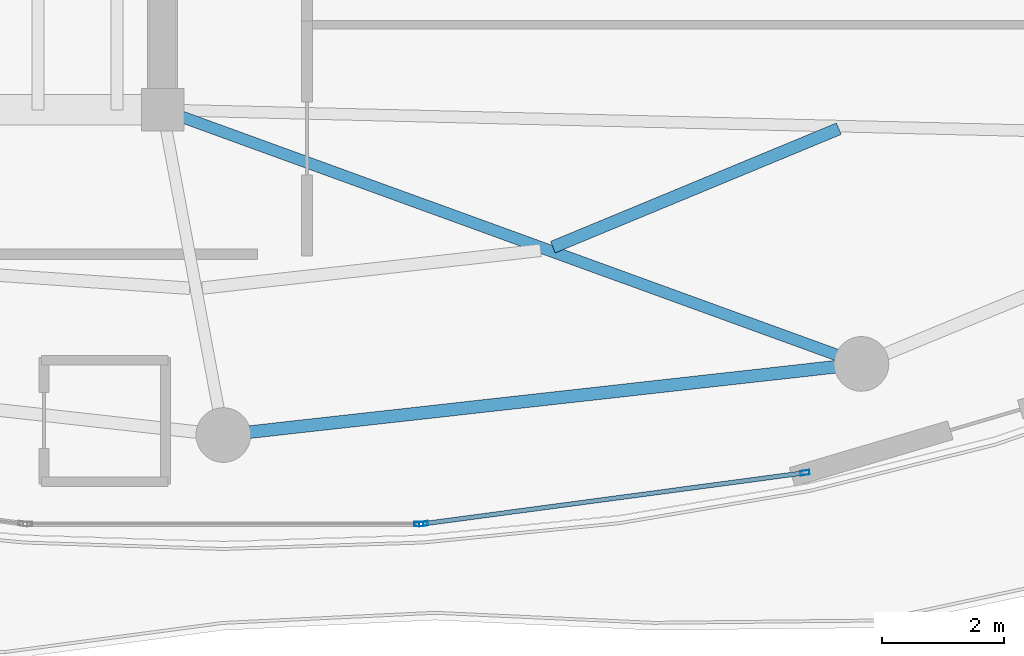
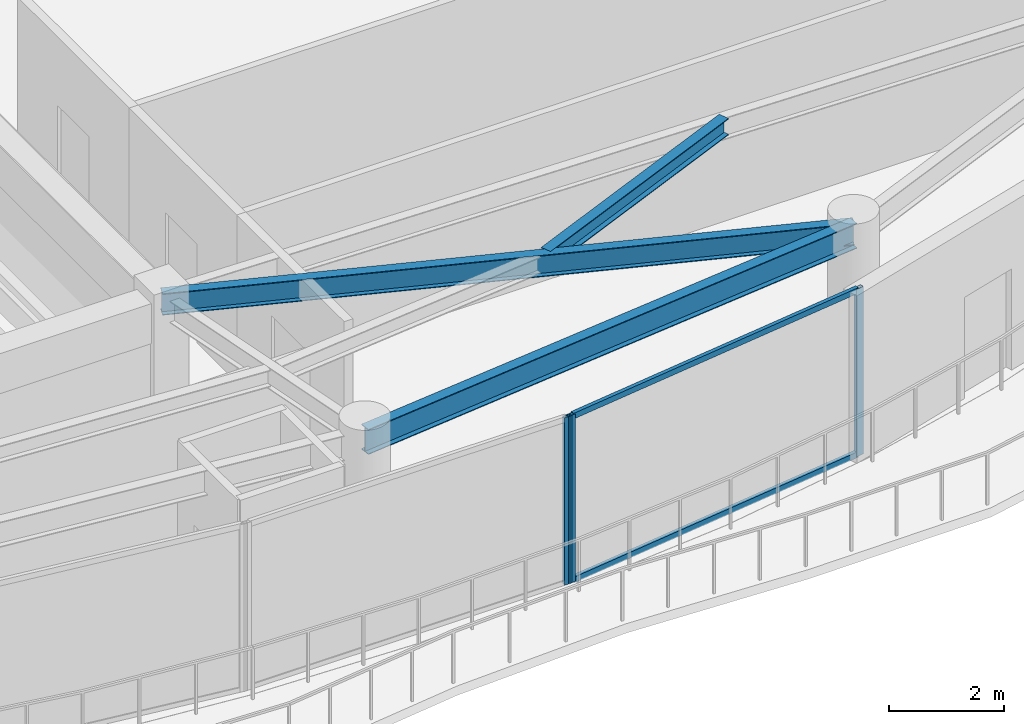
# One storey, part 11 of 29: 5 members, 3 beams, 2 elements without a shape of their own.
"""IFC4 building model written with IfcOpenShell, lengths in metres."""

from ifc_helpers import new_model, si_unit, direction, frame, origin, origin_2d, place, context, subcontext, project, spatial, hollow_rectangle, i_section, extrude, material, layer, layer_set, material_profile, profile_set, type_object, element, aggregate, save


model = new_model("IFC4")

# Units and contexts
model_context = context("Model", 3, precision=1e-05, world=origin(), true_north=direction((0.0, 1.0)))
body_context = subcontext(model_context, "Body", "Model", "MODEL_VIEW")
ifc_project = project(units=[si_unit("LENGTHUNIT", "METRE"), si_unit("AREAUNIT", "SQUARE_METRE"), si_unit("VOLUMEUNIT", "CUBIC_METRE"), si_unit("PLANEANGLEUNIT", "RADIAN"), si_unit("MASSUNIT", "GRAM", prefix="KILO")], contexts=[model_context])

# Site, building, storey
site_placement = place(None, origin())
site = spatial("IfcSite", under=ifc_project, at=site_placement, CompositionType="ELEMENT")
building_placement = place(site_placement, origin())
building = spatial("IfcBuilding", under=site, at=building_placement, Name="Kazevale Care Tower and Concert Hall", CompositionType="ELEMENT")
storey_placement = place(building_placement, frame((0.0, 0.0, 262.39990234375)))
storey = spatial("IfcBuildingStorey", under=building, at=storey_placement, Name="L69", CompositionType="ELEMENT", Elevation=262.39990234375)

# Curtain wall, members
ifc_material_1 = material(Name="Aluminium 6063-T6 and Low-E Glass", Category="aluminium")
ifc_layer = layer(ifc_material_1, 0.179931640625)
ifc_layer_set = layer_set([ifc_layer], Name="Aluminium 6063-T6 and Low-E Glass")
curtain_wall_type = type_object("IfcCurtainWallType", Name="Sheltered Concave Balcony Curtain Wall CW-5", PredefinedType="NOTDEFINED", material=ifc_layer_set)
curtain_wall_1_placement = place(storey_placement, origin())
curtain_wall_1 = element("IfcCurtainWall", 1, at=curtain_wall_1_placement, inside=storey, type_object=curtain_wall_type, Name="cw:L69:f05", PredefinedType="NOTDEFINED")
ifc_material_2 = material(Name="Aluminium 6063-T6", Category="aluminium")
ifc_material_profile_1 = material_profile(ifc_material_2, hollow_rectangle(XDim=0.074951171875, YDim=0.14990234375, WallThickness=0.00390625, at=origin_2d()), Name="ALU75x150x4")
ifc_profile_set_1 = profile_set([ifc_material_profile_1], Name="Aluminium 6063-T6")
member_type_1 = type_object("IfcMemberType", Name="CW-5 Mullion ALU75x150x4", PredefinedType="MULLION", material=ifc_profile_set_1)
member_1_placement = place(storey_placement, frame((54.56982421875, 17.629150390625, 0.0), z_axis=(0.0, 0.0, 1.0), x_axis=(0.132542069018, -0.991177380664, 0.0)))
member_1 = element("IfcMember", 2, at=member_1_placement, type_object=member_type_1, Name="CW-5 mullion 1", PredefinedType="MULLION", context=body_context, shape_type="SweptSolid", body=[
    extrude(hollow_rectangle(XDim=0.074951171875, YDim=0.14990234375, WallThickness=0.00390625, at=origin_2d()), origin(), (0.0, 0.0, 1.0), 3.56005859375),
])
member_2_placement = place(storey_placement, frame((48.295166015625, 16.7900390625, 0.0), z_axis=(0.0, 0.0, 1.0), x_axis=(0.132542069018, -0.991177380664, 0.0)))
member_2 = element("IfcMember", 3, at=member_2_placement, type_object=member_type_1, Name="CW-5 mullion 2", PredefinedType="MULLION", context=body_context, shape_type="SweptSolid", body=[
    extrude(hollow_rectangle(XDim=0.074951171875, YDim=0.14990234375, WallThickness=0.00390625, at=origin_2d()), origin(), (0.0, 0.0, 1.0), 3.56005859375),
])

# Curtain wall, member
curtain_wall_2_placement = place(storey_placement, origin())
curtain_wall_2 = element("IfcCurtainWall", 4, at=curtain_wall_2_placement, inside=storey, type_object=curtain_wall_type, Name="cw:L69:f06", PredefinedType="NOTDEFINED")
member_3_placement = place(storey_placement, frame((48.220458984375, 16.784912109375, 0.0), z_axis=(0.0, 0.0, 1.0), x_axis=(0.0, -1.0, 0.0)))
member_3 = element("IfcMember", 5, at=member_3_placement, type_object=member_type_1, Name="CW-5 mullion 1", PredefinedType="MULLION", context=body_context, shape_type="SweptSolid", body=[
    extrude(hollow_rectangle(XDim=0.074951171875, YDim=0.14990234375, WallThickness=0.00390625, at=origin_2d()), origin(), (0.0, 0.0, 1.0), 3.56005859375),
])
aggregate(curtain_wall_2, [member_3])

# Member
ifc_material_profile_2 = material_profile(ifc_material_2, hollow_rectangle(XDim=0.074951171875, YDim=0.1201171875, WallThickness=0.00390625, at=origin_2d()), Name="ALU75x120x4")
ifc_profile_set_2 = profile_set([ifc_material_profile_2], Name="Aluminium 6063-T6")
member_type_2 = type_object("IfcMemberType", Name="CW-5 Transom ALU75x120x4", PredefinedType="USERDEFINED", material=ifc_profile_set_2)
member_4_placement = place(storey_placement, frame((54.53271484375, 17.6240234375, 0.03759765625), z_axis=(-0.991178066261, -0.132536941884, 0.0), x_axis=(0.132536941884, -0.991178066261, 0.0)))
member_4 = element("IfcMember", 6, at=member_4_placement, type_object=member_type_2, Name="CW-5 transom 1.1", ObjectType="TRANSOM", PredefinedType="USERDEFINED", context=body_context, shape_type="SweptSolid", body=[
    extrude(hollow_rectangle(XDim=0.074951171875, YDim=0.1201171875, WallThickness=0.00390625, at=origin_2d()), origin(), (0.0, 0.0, 1.0), 6.255615234375),
])

member_5_placement = place(storey_placement, frame((54.53271484375, 17.6240234375, 3.522705078125), z_axis=(-0.991178066261, -0.132536941884, 0.0), x_axis=(0.132536941884, -0.991178066261, 0.0)))
member_5 = element("IfcMember", 7, at=member_5_placement, type_object=member_type_2, Name="CW-5 transom 1.2", ObjectType="TRANSOM", PredefinedType="USERDEFINED", context=body_context, shape_type="SweptSolid", body=[
    extrude(hollow_rectangle(XDim=0.074951171875, YDim=0.1201171875, WallThickness=0.00390625, at=origin_2d()), origin(), (0.0, 0.0, 1.0), 6.255615234375),
])

aggregate(curtain_wall_1, [member_1, member_2, member_4, member_5])

# Beams
ifc_material_3 = material(Name="Steel ASTM A572 Gr 50", Category="steel")
ifc_material_profile_3 = material_profile(ifc_material_3, i_section(OverallWidth=0.19091796875, OverallDepth=0.4599609375, WebThickness=0.010009765625, FlangeThickness=0.01611328125, at=origin_2d()), Name="W460x82")
ifc_profile_set_3 = profile_set([ifc_material_profile_3], Name="Steel ASTM A572 Gr 50")
beam_type_1 = type_object("IfcBeamType", Name="Radial Floor Beam W460x82", PredefinedType="BEAM", material=ifc_profile_set_3)
beam_1_placement = place(storey_placement, frame((44.0, 23.60009765625, 3.330078125), z_axis=(0.939836524786, -0.341624511239, 0.0), x_axis=(0.341624511239, 0.939836524786, 0.0)))
element("IfcBeam", 8, at=beam_1_placement, inside=storey, type_object=beam_type_1, Name="beam:L69:rad:14", PredefinedType="BEAM", context=body_context, shape_type="SweptSolid", body=[
    extrude(i_section(OverallWidth=0.19091796875, OverallDepth=0.4599609375, WebThickness=0.010009765625, FlangeThickness=0.01611328125, at=origin_2d()), origin(), (0.0, 0.0, 1.0), 12.236083984375),
])
ifc_material_profile_4 = material_profile(ifc_material_3, i_section(OverallWidth=0.205078125, OverallDepth=0.35400390625, WebThickness=0.009521484375, FlangeThickness=0.016845703125, at=origin_2d()), Name="W360x79")
ifc_profile_set_4 = profile_set([ifc_material_profile_4], Name="Steel ASTM A572 Gr 50")
beam_type_2 = type_object("IfcBeamType", Name="Secondary Floor Joist W360x79", PredefinedType="JOIST", material=ifc_profile_set_4)
beam_2_placement = place(storey_placement, frame((50.422119140625, 21.341064453125, 3.383056640625), z_axis=(0.92389590915, 0.382643893268, 0.0), x_axis=(-0.382643893268, 0.92389590915, 0.0)))
element("IfcBeam", 9, at=beam_2_placement, inside=storey, type_object=beam_type_2, Name="beam:L69:joist:14", PredefinedType="JOIST", context=body_context, shape_type="SweptSolid", body=[
    extrude(i_section(OverallWidth=0.205078125, OverallDepth=0.35400390625, WebThickness=0.009521484375, FlangeThickness=0.016845703125, at=origin_2d()), origin(), (0.0, 0.0, 1.0), 5.093505859375),
])
ifc_material_profile_5 = material_profile(ifc_material_3, i_section(OverallWidth=0.208984375, OverallDepth=0.532958984375, WebThickness=0.01025390625, FlangeThickness=0.015625, at=origin_2d()), Name="W530x92")
ifc_profile_set_5 = profile_set([ifc_material_profile_5], Name="Steel ASTM A572 Gr 50")
beam_type_3 = type_object("IfcBeamType", Name="Upper Ring Beam W530x92", PredefinedType="BEAM", material=ifc_profile_set_5)
beam_3_placement = place(storey_placement, frame((45.0, 18.25, 3.293701171875), z_axis=(0.993849870772, 0.110735876598, 0.0), x_axis=(-0.110735876598, 0.993849870772, 0.0)))
element("IfcBeam", 10, at=beam_3_placement, inside=storey, type_object=beam_type_3, Name="beam:L69:ring:13", PredefinedType="BEAM", context=body_context, shape_type="SweptSolid", body=[
    extrude(i_section(OverallWidth=0.208984375, OverallDepth=0.532958984375, WebThickness=0.01025390625, FlangeThickness=0.015625, at=origin_2d()), origin(), (0.0, 0.0, 1.0), 10.56494140625),
])

save(model, "model.ifc")
